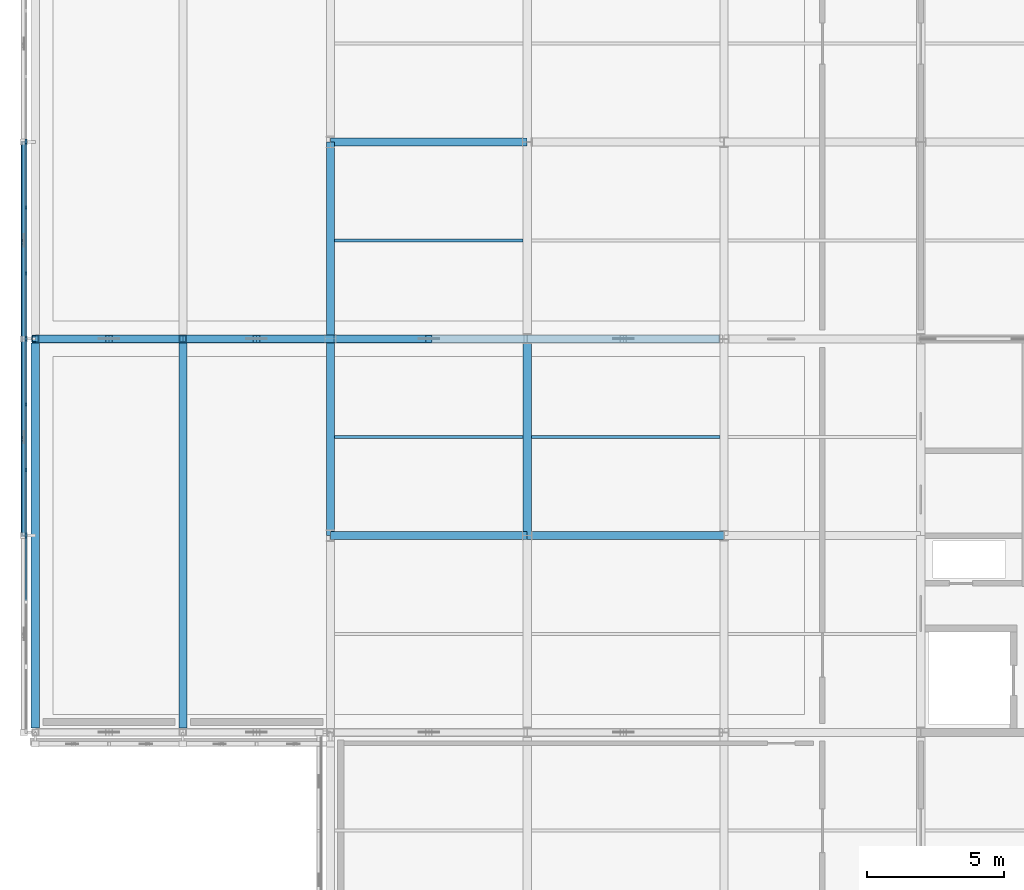
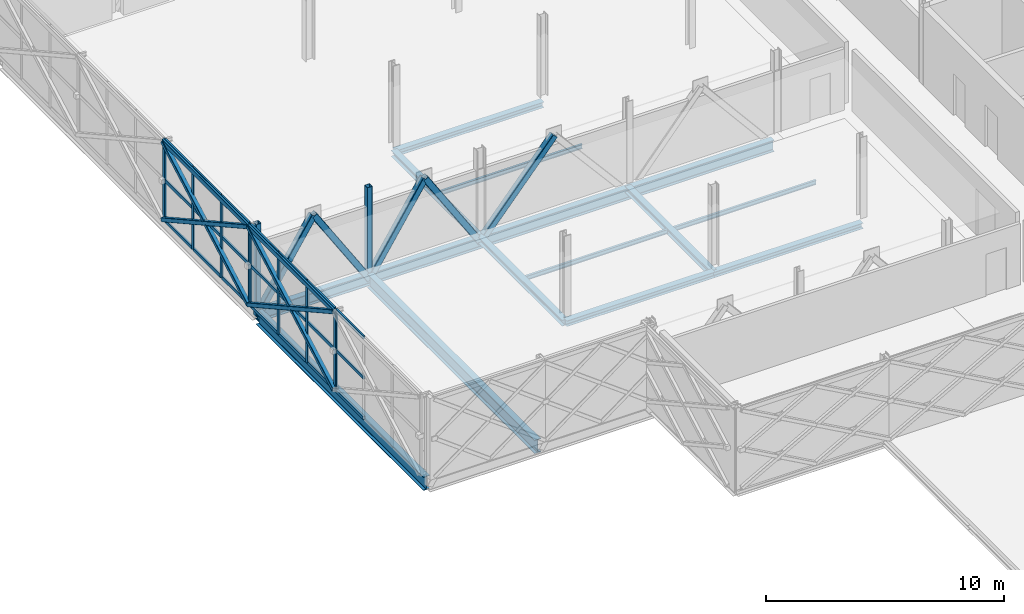
# One storey, part 43 of 103: 46 members, 12 beams, 4 elements without a shape of their own.
"""IFC4 building model written with IfcOpenShell, lengths in metres."""

from ifc_helpers import new_model, si_unit, direction, frame, origin, origin_2d, place, context, subcontext, project, spatial, rectangle, hollow_rectangle, i_section, extrude, material, material_profile, profile_set, type_object, element, aggregate, save


model = new_model("IFC4")

# Units and contexts
model_context = context("Model", 3, precision=1e-05, world=origin(), true_north=direction((0.0, 1.0)))
body_context = subcontext(model_context, "Body", "Model", "MODEL_VIEW")
ifc_project = project(units=[si_unit("LENGTHUNIT", "METRE"), si_unit("AREAUNIT", "SQUARE_METRE"), si_unit("VOLUMEUNIT", "CUBIC_METRE"), si_unit("PLANEANGLEUNIT", "RADIAN"), si_unit("MASSUNIT", "GRAM", prefix="KILO")], contexts=[model_context])

# Site, building, storey
site_placement = place(None, origin())
site = spatial("IfcSite", under=ifc_project, at=site_placement, CompositionType="ELEMENT")
building_placement = place(site_placement, origin())
building = spatial("IfcBuilding", under=site, at=building_placement, Name="Zlatovets Crest Museum", CompositionType="ELEMENT")
storey_placement = place(building_placement, frame((0.0, 0.0, 12.89990234375)))
storey = spatial("IfcBuildingStorey", under=building, at=storey_placement, Name="L03", CompositionType="ELEMENT", Elevation=12.89990234375)

# Beams
ifc_material_1 = material(Name="Structural steel S355J2", Category="steel")
ifc_material_profile_1 = material_profile(ifc_material_1, i_section(OverallWidth=0.300048828125, OverallDepth=0.31005859375, WebThickness=0.009033203125, FlangeThickness=0.015380859375, FilletRadius=0.027099609375, at=origin_2d()), Name="HEA 320")
ifc_profile_set_1 = profile_set([ifc_material_profile_1], Name="Structural steel S355J2")
beam_type_1 = type_object("IfcBeamType", Name="Beam_B-04", PredefinedType="BEAM", material=ifc_profile_set_1)
for number, where, z_axis, x_axis, name in (
    (1, (7.199951171875, 64.800048828125, -0.39501953125), (0.0, 1.0, 0.0), (-1.0, 0.0, 0.0), "V4 L03 Grid Beam B-04"),
    (2, (7.199951171875, 72.0, -0.39501953125), (0.0, 1.0, 0.0), (-1.0, 0.0, 0.0), "V4 L03 Grid Beam B-04"),
    (3, (14.39990234375, 64.800048828125, -0.39501953125), (0.0, 1.0, 0.0), (-1.0, 0.0, 0.0), "V4 L03 Grid Beam B-04"),
):
    element("IfcBeam", number, at=place(storey_placement, frame(where, z_axis=z_axis, x_axis=x_axis)), inside=storey, type_object=beam_type_1, Name=name, PredefinedType="BEAM", context=body_context, shape_type="SweptSolid", body=[
        extrude(i_section(OverallWidth=0.300048828125, OverallDepth=0.31005859375, WebThickness=0.009033203125, FlangeThickness=0.015380859375, FilletRadius=0.027099609375, at=origin_2d()), origin(), (0.0, 0.0, 1.0), 7.199951171875),
    ])
ifc_material_profile_2 = material_profile(ifc_material_1, i_section(OverallWidth=0.300048828125, OverallDepth=0.590087890625, WebThickness=0.012939453125, FlangeThickness=0.02490234375, FilletRadius=0.027099609375, at=origin_2d()), Name="HEA 600")
ifc_profile_set_2 = profile_set([ifc_material_profile_2], Name="Structural steel S355J2")
beam_type_2 = type_object("IfcBeamType", Name="Beam_B-07", PredefinedType="BEAM", material=ifc_profile_set_2)
beam_1_placement = place(storey_placement, frame((-3.60009765625, 72.0, -0.58984375), z_axis=(1.0, 0.0, 0.0), x_axis=(0.0, 1.0, 0.0)))
element("IfcBeam", 4, at=beam_1_placement, inside=storey, type_object=beam_type_2, Name="Cantilever Transfer Truss TT-2 L03 Mid Chord", PredefinedType="BEAM", context=body_context, shape_type="SweptSolid", body=[
    extrude(i_section(OverallWidth=0.300048828125, OverallDepth=0.590087890625, WebThickness=0.012939453125, FlangeThickness=0.02490234375, FilletRadius=0.027099609375, at=origin_2d()), origin(), (0.0, 0.0, 1.0), 25.0400390625),
])
ifc_material_profile_3 = material_profile(ifc_material_1, i_section(OverallWidth=0.300048828125, OverallDepth=0.699951171875, WebThickness=0.01708984375, FlangeThickness=0.031982421875, FilletRadius=0.027099609375, at=origin_2d()), Name="HEB 700")
ifc_profile_set_3 = profile_set([ifc_material_profile_3], Name="Structural steel S355J2")
beam_type_3 = type_object("IfcBeamType", Name="Beam_B-08", PredefinedType="BEAM", material=ifc_profile_set_3)
for number, where, z_axis, x_axis, name in (
    (5, (-3.60009765625, 57.760009765625, -0.58984375), (0.0, 1.0, 0.0), (-1.0, 0.0, 0.0), "Cantilever Gallery L03 Floor Beam B-08"),
    (6, (1.800048828125, 57.760009765625, -0.58984375), (0.0, 1.0, 0.0), (-1.0, 0.0, 0.0), "Cantilever Gallery L03 Floor Beam B-08"),
):
    element("IfcBeam", number, at=place(storey_placement, frame(where, z_axis=z_axis, x_axis=x_axis)), inside=storey, type_object=beam_type_3, Name=name, PredefinedType="BEAM", context=body_context, shape_type="SweptSolid", body=[
        extrude(i_section(OverallWidth=0.300048828125, OverallDepth=0.699951171875, WebThickness=0.01708984375, FlangeThickness=0.031982421875, FilletRadius=0.027099609375, at=origin_2d()), origin(), (0.0, 0.0, 1.0), 14.080078125),
    ])
ifc_material_profile_4 = material_profile(ifc_material_1, i_section(OverallWidth=0.300048828125, OverallDepth=0.2900390625, WebThickness=0.008544921875, FlangeThickness=0.013916015625, FilletRadius=0.027099609375, at=origin_2d()), Name="HEA 300")
ifc_profile_set_4 = profile_set([ifc_material_profile_4], Name="Structural steel S355J2")
beam_type_4 = type_object("IfcBeamType", Name="Beam_B-12", PredefinedType="BEAM", material=ifc_profile_set_4)
beam_2_placement = place(storey_placement, frame((7.199951171875, 64.800048828125, -0.385009765625), z_axis=(1.0, 0.0, 0.0), x_axis=(0.0, 1.0, 0.0)))
element("IfcBeam", 7, at=beam_2_placement, inside=storey, type_object=beam_type_4, Name="V4 L03 Primary Girder B-12", PredefinedType="BEAM", context=body_context, shape_type="SweptSolid", body=[
    extrude(i_section(OverallWidth=0.300048828125, OverallDepth=0.2900390625, WebThickness=0.008544921875, FlangeThickness=0.013916015625, FilletRadius=0.027099609375, at=origin_2d()), origin(), (0.0, 0.0, 1.0), 7.199951171875),
])
beam_3_placement = place(storey_placement, frame((14.39990234375, 64.800048828125, -0.385009765625), z_axis=(1.0, 0.0, 0.0), x_axis=(0.0, 1.0, 0.0)))
element("IfcBeam", 8, at=beam_3_placement, inside=storey, type_object=beam_type_4, Name="V4 L03 Primary Girder B-12", PredefinedType="BEAM", context=body_context, shape_type="SweptSolid", body=[
    extrude(i_section(OverallWidth=0.300048828125, OverallDepth=0.2900390625, WebThickness=0.008544921875, FlangeThickness=0.013916015625, FilletRadius=0.027099609375, at=origin_2d()), origin(), (0.0, 0.0, 1.0), 7.2001953125),
])
beam_4_placement = place(storey_placement, frame((7.199951171875, 79.199951171875, -0.385009765625), z_axis=(1.0, 0.0, 0.0), x_axis=(0.0, 1.0, 0.0)))
element("IfcBeam", 9, at=beam_4_placement, inside=storey, type_object=beam_type_4, Name="V4 L03 Primary Girder B-12", PredefinedType="BEAM", context=body_context, shape_type="SweptSolid", body=[
    extrude(i_section(OverallWidth=0.300048828125, OverallDepth=0.2900390625, WebThickness=0.008544921875, FlangeThickness=0.013916015625, FilletRadius=0.027099609375, at=origin_2d()), origin(), (0.0, 0.0, 1.0), 7.199951171875),
])
ifc_material_profile_5 = material_profile(ifc_material_1, i_section(OverallWidth=0.110107421875, OverallDepth=0.219970703125, WebThickness=0.005859375, FlangeThickness=0.00927734375, FilletRadius=0.011962890625, at=origin_2d()), Name="IPE 220")
ifc_profile_set_5 = profile_set([ifc_material_profile_5], Name="Structural steel S355J2")
beam_type_5 = type_object("IfcBeamType", Name="Beam_J-10", PredefinedType="JOIST", material=ifc_profile_set_5)
for number, where, z_axis, x_axis, name in (
    (10, (7.35009765625, 68.39990234375, -0.349853515625), (1.0, 0.0, 0.0), (0.0, 1.0, 0.0), "V4 L03 Composite Joist J-10"),
    (11, (7.35009765625, 75.60009765625, -0.349853515625), (1.0, 0.0, 0.0), (0.0, 1.0, 0.0), "V4 L03 Composite Joist J-10"),
    (12, (14.550048828125, 68.39990234375, -0.349853515625), (1.0, 0.0, 0.0), (0.0, 1.0, 0.0), "V4 L03 Composite Joist J-10"),
):
    element("IfcBeam", number, at=place(storey_placement, frame(where, z_axis=z_axis, x_axis=x_axis)), inside=storey, type_object=beam_type_5, Name=name, PredefinedType="JOIST", context=body_context, shape_type="SweptSolid", body=[
        extrude(i_section(OverallWidth=0.110107421875, OverallDepth=0.219970703125, WebThickness=0.005859375, FlangeThickness=0.00927734375, FilletRadius=0.011962890625, at=origin_2d()), origin(), (0.0, 0.0, 1.0), 6.89990234375),
    ])

# Curtain wall, member
ifc_material_2 = material(Name="Bronze-anodised aluminium and low-E triple glass", Category="aluminium")
curtain_wall_type_1 = type_object("IfcCurtainWallType", Name="CW_CW-V4-L03-M3", PredefinedType="NOTDEFINED", material=ifc_material_2)
curtain_wall_1_placement = place(storey_placement, origin())
curtain_wall_1 = element("IfcCurtainWall", 13, at=curtain_wall_1_placement, inside=storey, type_object=curtain_wall_type_1, Name="V4 L03 Secession Foyer Clear Curtain Wall", PredefinedType="NOTDEFINED")
ifc_material_3 = material(Name="Bronze-anodised aluminium EN AW-6060", Category="aluminium")
ifc_material_profile_6 = material_profile(ifc_material_3, rectangle(XDim=0.080078125, YDim=0.159912109375, at=origin_2d()), Name="ALU 80x160")
ifc_profile_set_6 = profile_set([ifc_material_profile_6], Name="Bronze-anodised aluminium EN AW-6060")
member_type_1 = type_object("IfcMemberType", Name="CWMull_M1", PredefinedType="MULLION", material=ifc_profile_set_6)
member_1_placement = place(storey_placement, frame((-3.93994140625, 79.22998046875, 0.0), z_axis=(0.0, 0.0, 1.0), x_axis=(1.0, 0.0, 0.0)))
member_1 = element("IfcMember", 14, at=member_1_placement, type_object=member_type_1, Name="CW-V4-L03-M3 mullion 4", PredefinedType="MULLION", context=body_context, shape_type="SweptSolid", body=[
    extrude(rectangle(XDim=0.080078125, YDim=0.159912109375, at=origin_2d()), origin(), (0.0, 0.0, 1.0), 4.2001953125),
])
aggregate(curtain_wall_1, [member_1])

# Curtain wall, members
curtain_wall_type_2 = type_object("IfcCurtainWallType", Name="CW_CW-V4-L03-M0", PredefinedType="NOTDEFINED", material=ifc_material_2)
curtain_wall_2_placement = place(storey_placement, origin())
curtain_wall_2 = element("IfcCurtainWall", 15, at=curtain_wall_2_placement, inside=storey, type_object=curtain_wall_type_2, Name="V4 L03 Secession Foyer Clear Curtain Wall", PredefinedType="NOTDEFINED")
member_2_placement = place(storey_placement, frame((-3.93994140625, 79.169921875, 0.0), z_axis=(0.0, 0.0, 1.0), x_axis=(1.0, 0.0, 0.0)))
member_2 = element("IfcMember", 16, at=member_2_placement, type_object=member_type_1, Name="CW-V4-L03-M0 mullion 1", PredefinedType="MULLION", context=body_context, shape_type="SweptSolid", body=[
    extrude(rectangle(XDim=0.080078125, YDim=0.159912109375, at=origin_2d()), origin(), (0.0, 0.0, 1.0), 4.2001953125),
])
member_3_placement = place(storey_placement, frame((-3.93994140625, 76.800048828125, 0.0), z_axis=(0.0, 0.0, 1.0), x_axis=(1.0, 0.0, 0.0)))
member_3 = element("IfcMember", 17, at=member_3_placement, type_object=member_type_1, Name="CW-V4-L03-M0 mullion 2", PredefinedType="MULLION", context=body_context, shape_type="SweptSolid", body=[
    extrude(rectangle(XDim=0.080078125, YDim=0.159912109375, at=origin_2d()), origin(), (0.0, 0.0, 1.0), 4.2001953125),
])
member_4_placement = place(storey_placement, frame((-3.93994140625, 74.39990234375, 0.0), z_axis=(0.0, 0.0, 1.0), x_axis=(1.0, 0.0, 0.0)))
member_4 = element("IfcMember", 18, at=member_4_placement, type_object=member_type_1, Name="CW-V4-L03-M0 mullion 3", PredefinedType="MULLION", context=body_context, shape_type="SweptSolid", body=[
    extrude(rectangle(XDim=0.080078125, YDim=0.159912109375, at=origin_2d()), origin(), (0.0, 0.0, 1.0), 4.2001953125),
])
member_5_placement = place(storey_placement, frame((-3.93994140625, 72.030029296875, 0.0), z_axis=(0.0, 0.0, 1.0), x_axis=(1.0, 0.0, 0.0)))
member_5 = element("IfcMember", 19, at=member_5_placement, type_object=member_type_1, Name="CW-V4-L03-M0 mullion 4", PredefinedType="MULLION", context=body_context, shape_type="SweptSolid", body=[
    extrude(rectangle(XDim=0.080078125, YDim=0.159912109375, at=origin_2d()), origin(), (0.0, 0.0, 1.0), 4.2001953125),
])

curtain_wall_type_3 = type_object("IfcCurtainWallType", Name="CW_CW-V4-L03-M1", PredefinedType="NOTDEFINED", material=ifc_material_2)
curtain_wall_3_placement = place(storey_placement, origin())
curtain_wall_3 = element("IfcCurtainWall", 20, at=curtain_wall_3_placement, inside=storey, type_object=curtain_wall_type_3, Name="V4 L03 Secession Foyer Clear Curtain Wall", PredefinedType="NOTDEFINED")
member_6_placement = place(storey_placement, frame((-3.93994140625, 71.969970703125, 0.0), z_axis=(0.0, 0.0, 1.0), x_axis=(1.0, 0.0, 0.0)))
member_6 = element("IfcMember", 21, at=member_6_placement, type_object=member_type_1, Name="CW-V4-L03-M1 mullion 1", PredefinedType="MULLION", context=body_context, shape_type="SweptSolid", body=[
    extrude(rectangle(XDim=0.080078125, YDim=0.159912109375, at=origin_2d()), origin(), (0.0, 0.0, 1.0), 4.2001953125),
])
member_7_placement = place(storey_placement, frame((-3.93994140625, 69.60009765625, 0.0), z_axis=(0.0, 0.0, 1.0), x_axis=(1.0, 0.0, 0.0)))
member_7 = element("IfcMember", 22, at=member_7_placement, type_object=member_type_1, Name="CW-V4-L03-M1 mullion 2", PredefinedType="MULLION", context=body_context, shape_type="SweptSolid", body=[
    extrude(rectangle(XDim=0.080078125, YDim=0.159912109375, at=origin_2d()), origin(), (0.0, 0.0, 1.0), 4.2001953125),
])
member_8_placement = place(storey_placement, frame((-3.93994140625, 67.199951171875, 0.0), z_axis=(0.0, 0.0, 1.0), x_axis=(1.0, 0.0, 0.0)))
member_8 = element("IfcMember", 23, at=member_8_placement, type_object=member_type_1, Name="CW-V4-L03-M1 mullion 3", PredefinedType="MULLION", context=body_context, shape_type="SweptSolid", body=[
    extrude(rectangle(XDim=0.080078125, YDim=0.159912109375, at=origin_2d()), origin(), (0.0, 0.0, 1.0), 4.2001953125),
])
member_9_placement = place(storey_placement, frame((-3.93994140625, 64.830078125, 0.0), z_axis=(0.0, 0.0, 1.0), x_axis=(1.0, 0.0, 0.0)))
member_9 = element("IfcMember", 24, at=member_9_placement, type_object=member_type_1, Name="CW-V4-L03-M1 mullion 4", PredefinedType="MULLION", context=body_context, shape_type="SweptSolid", body=[
    extrude(rectangle(XDim=0.080078125, YDim=0.159912109375, at=origin_2d()), origin(), (0.0, 0.0, 1.0), 4.2001953125),
])

# Curtain wall, member
curtain_wall_type_4 = type_object("IfcCurtainWallType", Name="CW_CW-V4-L03-M2", PredefinedType="NOTDEFINED", material=ifc_material_2)
curtain_wall_4_placement = place(storey_placement, origin())
curtain_wall_4 = element("IfcCurtainWall", 25, at=curtain_wall_4_placement, inside=storey, type_object=curtain_wall_type_4, Name="V4 L03 Secession Foyer Clear Curtain Wall", PredefinedType="NOTDEFINED")
member_10_placement = place(storey_placement, frame((-3.93994140625, 64.77001953125, 0.0), z_axis=(0.0, 0.0, 1.0), x_axis=(1.0, 0.0, 0.0)))
member_10 = element("IfcMember", 26, at=member_10_placement, type_object=member_type_1, Name="CW-V4-L03-M2 mullion 1", PredefinedType="MULLION", context=body_context, shape_type="SweptSolid", body=[
    extrude(rectangle(XDim=0.080078125, YDim=0.159912109375, at=origin_2d()), origin(), (0.0, 0.0, 1.0), 4.2001953125),
])

# Member
ifc_material_profile_7 = material_profile(ifc_material_3, rectangle(XDim=0.080078125, YDim=0.159912109375, at=origin_2d()), Name="ALU 80x160")
ifc_profile_set_7 = profile_set([ifc_material_profile_7], Name="Bronze-anodised aluminium EN AW-6060")
member_type_2 = type_object("IfcMemberType", Name="CWTrans_T1", PredefinedType="USERDEFINED", material=ifc_profile_set_7)
member_11_placement = place(storey_placement, frame((-3.93994140625, 79.139892578125, 0.030029296875), z_axis=(0.0, -1.0, 0.0), x_axis=(1.0, 0.0, 0.0)))
member_11 = element("IfcMember", 27, at=member_11_placement, type_object=member_type_2, Name="CW-V4-L03-M0 transom 1.1", ObjectType="TRANSOM", PredefinedType="USERDEFINED", context=body_context, shape_type="SweptSolid", body=[
    extrude(rectangle(XDim=0.080078125, YDim=0.159912109375, at=origin_2d()), origin(), (0.0, 0.0, 1.0), 2.309814453125),
])

member_12_placement = place(storey_placement, frame((-3.93994140625, 79.139892578125, 2.10009765625), z_axis=(0.0, -1.0, 0.0), x_axis=(1.0, 0.0, 0.0)))
member_12 = element("IfcMember", 28, at=member_12_placement, type_object=member_type_2, Name="CW-V4-L03-M0 transom 1.2", ObjectType="TRANSOM", PredefinedType="USERDEFINED", context=body_context, shape_type="SweptSolid", body=[
    extrude(rectangle(XDim=0.080078125, YDim=0.159912109375, at=origin_2d()), origin(), (0.0, 0.0, 1.0), 2.309814453125),
])

member_13_placement = place(storey_placement, frame((-3.93994140625, 79.139892578125, 4.170166015625), z_axis=(0.0, -1.0, 0.0), x_axis=(1.0, 0.0, 0.0)))
member_13 = element("IfcMember", 29, at=member_13_placement, type_object=member_type_2, Name="CW-V4-L03-M0 transom 1.3", ObjectType="TRANSOM", PredefinedType="USERDEFINED", context=body_context, shape_type="SweptSolid", body=[
    extrude(rectangle(XDim=0.080078125, YDim=0.159912109375, at=origin_2d()), origin(), (0.0, 0.0, 1.0), 2.309814453125),
])

member_14_placement = place(storey_placement, frame((-3.93994140625, 76.77001953125, 0.030029296875), z_axis=(0.0, -1.0, 0.0), x_axis=(1.0, 0.0, 0.0)))
member_14 = element("IfcMember", 30, at=member_14_placement, type_object=member_type_2, Name="CW-V4-L03-M0 transom 2.1", ObjectType="TRANSOM", PredefinedType="USERDEFINED", context=body_context, shape_type="SweptSolid", body=[
    extrude(rectangle(XDim=0.080078125, YDim=0.159912109375, at=origin_2d()), origin(), (0.0, 0.0, 1.0), 2.340087890625),
])

member_15_placement = place(storey_placement, frame((-3.93994140625, 76.77001953125, 2.10009765625), z_axis=(0.0, -1.0, 0.0), x_axis=(1.0, 0.0, 0.0)))
member_15 = element("IfcMember", 31, at=member_15_placement, type_object=member_type_2, Name="CW-V4-L03-M0 transom 2.2", ObjectType="TRANSOM", PredefinedType="USERDEFINED", context=body_context, shape_type="SweptSolid", body=[
    extrude(rectangle(XDim=0.080078125, YDim=0.159912109375, at=origin_2d()), origin(), (0.0, 0.0, 1.0), 2.340087890625),
])

member_16_placement = place(storey_placement, frame((-3.93994140625, 76.77001953125, 4.170166015625), z_axis=(0.0, -1.0, 0.0), x_axis=(1.0, 0.0, 0.0)))
member_16 = element("IfcMember", 32, at=member_16_placement, type_object=member_type_2, Name="CW-V4-L03-M0 transom 2.3", ObjectType="TRANSOM", PredefinedType="USERDEFINED", context=body_context, shape_type="SweptSolid", body=[
    extrude(rectangle(XDim=0.080078125, YDim=0.159912109375, at=origin_2d()), origin(), (0.0, 0.0, 1.0), 2.340087890625),
])

member_17_placement = place(storey_placement, frame((-3.93994140625, 74.3701171875, 0.030029296875), z_axis=(0.0, -1.0, 0.0), x_axis=(1.0, 0.0, 0.0)))
member_17 = element("IfcMember", 33, at=member_17_placement, type_object=member_type_2, Name="CW-V4-L03-M0 transom 3.1", ObjectType="TRANSOM", PredefinedType="USERDEFINED", context=body_context, shape_type="SweptSolid", body=[
    extrude(rectangle(XDim=0.080078125, YDim=0.159912109375, at=origin_2d()), origin(), (0.0, 0.0, 1.0), 2.31005859375),
])

member_18_placement = place(storey_placement, frame((-3.93994140625, 74.3701171875, 2.10009765625), z_axis=(0.0, -1.0, 0.0), x_axis=(1.0, 0.0, 0.0)))
member_18 = element("IfcMember", 34, at=member_18_placement, type_object=member_type_2, Name="CW-V4-L03-M0 transom 3.2", ObjectType="TRANSOM", PredefinedType="USERDEFINED", context=body_context, shape_type="SweptSolid", body=[
    extrude(rectangle(XDim=0.080078125, YDim=0.159912109375, at=origin_2d()), origin(), (0.0, 0.0, 1.0), 2.31005859375),
])

member_19_placement = place(storey_placement, frame((-3.93994140625, 74.3701171875, 4.170166015625), z_axis=(0.0, -1.0, 0.0), x_axis=(1.0, 0.0, 0.0)))
member_19 = element("IfcMember", 35, at=member_19_placement, type_object=member_type_2, Name="CW-V4-L03-M0 transom 3.3", ObjectType="TRANSOM", PredefinedType="USERDEFINED", context=body_context, shape_type="SweptSolid", body=[
    extrude(rectangle(XDim=0.080078125, YDim=0.159912109375, at=origin_2d()), origin(), (0.0, 0.0, 1.0), 2.31005859375),
])

aggregate(curtain_wall_2, [member_2, member_3, member_4, member_5, member_11, member_12, member_13, member_14, member_15, member_16, member_17, member_18, member_19])

member_20_placement = place(storey_placement, frame((-3.93994140625, 71.93994140625, 0.030029296875), z_axis=(0.0, -1.0, 0.0), x_axis=(1.0, 0.0, 0.0)))
member_20 = element("IfcMember", 36, at=member_20_placement, type_object=member_type_2, Name="CW-V4-L03-M1 transom 1.1", ObjectType="TRANSOM", PredefinedType="USERDEFINED", context=body_context, shape_type="SweptSolid", body=[
    extrude(rectangle(XDim=0.080078125, YDim=0.159912109375, at=origin_2d()), origin(), (0.0, 0.0, 1.0), 2.31005859375),
])

member_21_placement = place(storey_placement, frame((-3.93994140625, 71.93994140625, 2.10009765625), z_axis=(0.0, -1.0, 0.0), x_axis=(1.0, 0.0, 0.0)))
member_21 = element("IfcMember", 37, at=member_21_placement, type_object=member_type_2, Name="CW-V4-L03-M1 transom 1.2", ObjectType="TRANSOM", PredefinedType="USERDEFINED", context=body_context, shape_type="SweptSolid", body=[
    extrude(rectangle(XDim=0.080078125, YDim=0.159912109375, at=origin_2d()), origin(), (0.0, 0.0, 1.0), 2.31005859375),
])

member_22_placement = place(storey_placement, frame((-3.93994140625, 71.93994140625, 4.170166015625), z_axis=(0.0, -1.0, 0.0), x_axis=(1.0, 0.0, 0.0)))
member_22 = element("IfcMember", 38, at=member_22_placement, type_object=member_type_2, Name="CW-V4-L03-M1 transom 1.3", ObjectType="TRANSOM", PredefinedType="USERDEFINED", context=body_context, shape_type="SweptSolid", body=[
    extrude(rectangle(XDim=0.080078125, YDim=0.159912109375, at=origin_2d()), origin(), (0.0, 0.0, 1.0), 2.31005859375),
])

member_23_placement = place(storey_placement, frame((-3.93994140625, 69.570068359375, 0.030029296875), z_axis=(0.0, -1.0, 0.0), x_axis=(1.0, 0.0, 0.0)))
member_23 = element("IfcMember", 39, at=member_23_placement, type_object=member_type_2, Name="CW-V4-L03-M1 transom 2.1", ObjectType="TRANSOM", PredefinedType="USERDEFINED", context=body_context, shape_type="SweptSolid", body=[
    extrude(rectangle(XDim=0.080078125, YDim=0.159912109375, at=origin_2d()), origin(), (0.0, 0.0, 1.0), 2.340087890625),
])

member_24_placement = place(storey_placement, frame((-3.93994140625, 69.570068359375, 2.10009765625), z_axis=(0.0, -1.0, 0.0), x_axis=(1.0, 0.0, 0.0)))
member_24 = element("IfcMember", 40, at=member_24_placement, type_object=member_type_2, Name="CW-V4-L03-M1 transom 2.2", ObjectType="TRANSOM", PredefinedType="USERDEFINED", context=body_context, shape_type="SweptSolid", body=[
    extrude(rectangle(XDim=0.080078125, YDim=0.159912109375, at=origin_2d()), origin(), (0.0, 0.0, 1.0), 2.340087890625),
])

member_25_placement = place(storey_placement, frame((-3.93994140625, 69.570068359375, 4.170166015625), z_axis=(0.0, -1.0, 0.0), x_axis=(1.0, 0.0, 0.0)))
member_25 = element("IfcMember", 41, at=member_25_placement, type_object=member_type_2, Name="CW-V4-L03-M1 transom 2.3", ObjectType="TRANSOM", PredefinedType="USERDEFINED", context=body_context, shape_type="SweptSolid", body=[
    extrude(rectangle(XDim=0.080078125, YDim=0.159912109375, at=origin_2d()), origin(), (0.0, 0.0, 1.0), 2.340087890625),
])

member_26_placement = place(storey_placement, frame((-3.93994140625, 67.169921875, 0.030029296875), z_axis=(0.0, -1.0, 0.0), x_axis=(1.0, 0.0, 0.0)))
member_26 = element("IfcMember", 42, at=member_26_placement, type_object=member_type_2, Name="CW-V4-L03-M1 transom 3.1", ObjectType="TRANSOM", PredefinedType="USERDEFINED", context=body_context, shape_type="SweptSolid", body=[
    extrude(rectangle(XDim=0.080078125, YDim=0.159912109375, at=origin_2d()), origin(), (0.0, 0.0, 1.0), 2.309814453125),
])

member_27_placement = place(storey_placement, frame((-3.93994140625, 67.169921875, 2.10009765625), z_axis=(0.0, -1.0, 0.0), x_axis=(1.0, 0.0, 0.0)))
member_27 = element("IfcMember", 43, at=member_27_placement, type_object=member_type_2, Name="CW-V4-L03-M1 transom 3.2", ObjectType="TRANSOM", PredefinedType="USERDEFINED", context=body_context, shape_type="SweptSolid", body=[
    extrude(rectangle(XDim=0.080078125, YDim=0.159912109375, at=origin_2d()), origin(), (0.0, 0.0, 1.0), 2.309814453125),
])

member_28_placement = place(storey_placement, frame((-3.93994140625, 67.169921875, 4.170166015625), z_axis=(0.0, -1.0, 0.0), x_axis=(1.0, 0.0, 0.0)))
member_28 = element("IfcMember", 44, at=member_28_placement, type_object=member_type_2, Name="CW-V4-L03-M1 transom 3.3", ObjectType="TRANSOM", PredefinedType="USERDEFINED", context=body_context, shape_type="SweptSolid", body=[
    extrude(rectangle(XDim=0.080078125, YDim=0.159912109375, at=origin_2d()), origin(), (0.0, 0.0, 1.0), 2.309814453125),
])

aggregate(curtain_wall_3, [member_6, member_7, member_8, member_9, member_20, member_21, member_22, member_23, member_24, member_25, member_26, member_27, member_28])

member_29_placement = place(storey_placement, frame((-3.93994140625, 64.739990234375, 0.030029296875), z_axis=(0.0, -1.0, 0.0), x_axis=(1.0, 0.0, 0.0)))
member_29 = element("IfcMember", 45, at=member_29_placement, type_object=member_type_2, Name="CW-V4-L03-M2 transom 1.1", ObjectType="TRANSOM", PredefinedType="USERDEFINED", context=body_context, shape_type="SweptSolid", body=[
    extrude(rectangle(XDim=0.080078125, YDim=0.159912109375, at=origin_2d()), origin(), (0.0, 0.0, 1.0), 2.31005859375),
])

member_30_placement = place(storey_placement, frame((-3.93994140625, 64.739990234375, 2.10009765625), z_axis=(0.0, -1.0, 0.0), x_axis=(1.0, 0.0, 0.0)))
member_30 = element("IfcMember", 46, at=member_30_placement, type_object=member_type_2, Name="CW-V4-L03-M2 transom 1.2", ObjectType="TRANSOM", PredefinedType="USERDEFINED", context=body_context, shape_type="SweptSolid", body=[
    extrude(rectangle(XDim=0.080078125, YDim=0.159912109375, at=origin_2d()), origin(), (0.0, 0.0, 1.0), 2.31005859375),
])

member_31_placement = place(storey_placement, frame((-3.93994140625, 64.739990234375, 4.170166015625), z_axis=(0.0, -1.0, 0.0), x_axis=(1.0, 0.0, 0.0)))
member_31 = element("IfcMember", 47, at=member_31_placement, type_object=member_type_2, Name="CW-V4-L03-M2 transom 1.3", ObjectType="TRANSOM", PredefinedType="USERDEFINED", context=body_context, shape_type="SweptSolid", body=[
    extrude(rectangle(XDim=0.080078125, YDim=0.159912109375, at=origin_2d()), origin(), (0.0, 0.0, 1.0), 2.31005859375),
])

aggregate(curtain_wall_4, [member_10, member_29, member_30, member_31])

# Members
ifc_material_4 = material(Name="Weathering bronze-steel S355J2W", Category="steel")
ifc_material_profile_8 = material_profile(ifc_material_4, hollow_rectangle(XDim=0.199951171875, YDim=0.199951171875, WallThickness=0.012451171875, InnerFilletRadius=0.012451171875, OuterFilletRadius=0.02490234375, at=origin_2d()), Name="SHS 200x200x12.5")
ifc_profile_set_8 = profile_set([ifc_material_profile_8], Name="Weathering bronze-steel S355J2W")
member_type_3 = type_object("IfcMemberType", Name="Lattice_XL-02", PredefinedType="BRACE", material=ifc_profile_set_8)
member_32_placement = place(storey_placement, frame((-4.02001953125, 79.199951171875, 0.10009765625), z_axis=(0.0, -0.874155877937, 0.485645447903), x_axis=(1.0, 0.0, 0.0)))
element("IfcMember", 48, at=member_32_placement, inside=storey, type_object=member_type_3, Name="Continuous Bronze Lattice Diagonal", PredefinedType="BRACE", context=body_context, shape_type="SweptSolid", body=[
    extrude(hollow_rectangle(XDim=0.199951171875, YDim=0.199951171875, WallThickness=0.012451171875, InnerFilletRadius=0.012451171875, OuterFilletRadius=0.02490234375, at=origin_2d()), origin(), (0.0, 0.0, 1.0), 8.236572265625),
])
member_33_placement = place(storey_placement, frame((-4.02001953125, 79.199951171875, 4.10009765625), z_axis=(0.0, -0.874151551165, -0.485653235958), x_axis=(1.0, 0.0, 0.0)))
element("IfcMember", 49, at=member_33_placement, inside=storey, type_object=member_type_3, Name="Split Crossing Bronze Lattice Diagonal Upper", PredefinedType="BRACE", context=body_context, shape_type="SweptSolid", body=[
    extrude(hollow_rectangle(XDim=0.199951171875, YDim=0.199951171875, WallThickness=0.012451171875, InnerFilletRadius=0.012451171875, OuterFilletRadius=0.02490234375, at=origin_2d()), origin(), (0.0, 0.0, 1.0), 4.023193359375),
])
member_34_placement = place(storey_placement, frame((-4.02001953125, 75.51708984375, 2.053955078125), z_axis=(0.0, -0.874165862873, -0.485627474703), x_axis=(1.0, 0.0, 0.0)))
element("IfcMember", 50, at=member_34_placement, inside=storey, type_object=member_type_3, Name="Split Crossing Bronze Lattice Diagonal Lower", PredefinedType="BRACE", context=body_context, shape_type="SweptSolid", body=[
    extrude(hollow_rectangle(XDim=0.199951171875, YDim=0.199951171875, WallThickness=0.012451171875, InnerFilletRadius=0.012451171875, OuterFilletRadius=0.02490234375, at=origin_2d()), origin(), (0.0, 0.0, 1.0), 4.0234375),
])
member_35_placement = place(storey_placement, frame((-4.02001953125, 72.0, 0.10009765625), z_axis=(0.0, -0.874155877937, 0.485645447903), x_axis=(1.0, 0.0, 0.0)))
element("IfcMember", 51, at=member_35_placement, inside=storey, type_object=member_type_3, Name="Continuous Bronze Lattice Diagonal", PredefinedType="BRACE", context=body_context, shape_type="SweptSolid", body=[
    extrude(hollow_rectangle(XDim=0.199951171875, YDim=0.199951171875, WallThickness=0.012451171875, InnerFilletRadius=0.012451171875, OuterFilletRadius=0.02490234375, at=origin_2d()), origin(), (0.0, 0.0, 1.0), 8.236572265625),
])
member_36_placement = place(storey_placement, frame((-4.02001953125, 72.0, 4.10009765625), z_axis=(0.0, -0.874165862873, -0.485627474703), x_axis=(1.0, 0.0, 0.0)))
element("IfcMember", 52, at=member_36_placement, inside=storey, type_object=member_type_3, Name="Split Crossing Bronze Lattice Diagonal Upper", PredefinedType="BRACE", context=body_context, shape_type="SweptSolid", body=[
    extrude(hollow_rectangle(XDim=0.199951171875, YDim=0.199951171875, WallThickness=0.012451171875, InnerFilletRadius=0.012451171875, OuterFilletRadius=0.02490234375, at=origin_2d()), origin(), (0.0, 0.0, 1.0), 4.0234375),
])
member_37_placement = place(storey_placement, frame((-4.02001953125, 68.31689453125, 2.053955078125), z_axis=(0.0, -0.874151551165, -0.485653235958), x_axis=(1.0, 0.0, 0.0)))
element("IfcMember", 53, at=member_37_placement, inside=storey, type_object=member_type_3, Name="Split Crossing Bronze Lattice Diagonal Lower", PredefinedType="BRACE", context=body_context, shape_type="SweptSolid", body=[
    extrude(hollow_rectangle(XDim=0.199951171875, YDim=0.199951171875, WallThickness=0.012451171875, InnerFilletRadius=0.012451171875, OuterFilletRadius=0.02490234375, at=origin_2d()), origin(), (0.0, 0.0, 1.0), 4.023193359375),
])
ifc_material_profile_9 = material_profile(ifc_material_4, hollow_rectangle(XDim=0.1201171875, YDim=0.239990234375, WallThickness=0.010009765625, InnerFilletRadius=0.010009765625, OuterFilletRadius=0.02001953125, at=origin_2d()), Name="RHS 120x240x10.0")
ifc_profile_set_9 = profile_set([ifc_material_profile_9], Name="Weathering bronze-steel S355J2W")
member_type_4 = type_object("IfcMemberType", Name="Lattice_XL-04", PredefinedType="CHORD", material=ifc_profile_set_9)
for number, where, z_axis, x_axis, name in (
    (54, (-4.02001953125, 79.199951171875, 4.10009765625), (0.0, -1.0, 0.0), (1.0, 0.0, 0.0), "Art Nouveau Woven Cage Collector Ring Chord"),
    (55, (-4.02001953125, 72.0, 4.10009765625), (0.0, -1.0, 0.0), (1.0, 0.0, 0.0), "Art Nouveau Woven Cage Collector Ring Chord"),
):
    element("IfcMember", number, at=place(storey_placement, frame(where, z_axis=z_axis, x_axis=x_axis)), inside=storey, type_object=member_type_4, Name=name, PredefinedType="CHORD", context=body_context, shape_type="SweptSolid", body=[
        extrude(hollow_rectangle(XDim=0.1201171875, YDim=0.239990234375, WallThickness=0.010009765625, InnerFilletRadius=0.010009765625, OuterFilletRadius=0.02001953125, at=origin_2d()), origin(), (0.0, 0.0, 1.0), 7.199951171875),
    ])
ifc_material_profile_10 = material_profile(ifc_material_1, hollow_rectangle(XDim=0.25, YDim=0.25, WallThickness=0.012451171875, InnerFilletRadius=0.012451171875, OuterFilletRadius=0.02490234375, at=origin_2d()), Name="SHS 250x250x12.5")
ifc_profile_set_10 = profile_set([ifc_material_profile_10], Name="Structural steel S355J2")
member_type_5 = type_object("IfcMemberType", Name="Member_TM-07", PredefinedType="CHORD", material=ifc_profile_set_10)
for number, where, z_axis, x_axis, name in (
    (56, (-3.60009765625, 72.0, -0.58984375), (0.0, 0.0, 1.0), (1.0, 0.0, 0.0), "Transfer Truss TT-2 Upper Vertical Post"),
    (57, (1.800048828125, 72.0, -0.58984375), (0.0, 0.0, 1.0), (1.0, 0.0, 0.0), "Transfer Truss TT-2 Upper Vertical Post"),
):
    element("IfcMember", number, at=place(storey_placement, frame(where, z_axis=z_axis, x_axis=x_axis)), inside=storey, type_object=member_type_5, Name=name, PredefinedType="CHORD", context=body_context, shape_type="SweptSolid", body=[
        extrude(hollow_rectangle(XDim=0.25, YDim=0.25, WallThickness=0.012451171875, InnerFilletRadius=0.012451171875, OuterFilletRadius=0.02490234375, at=origin_2d()), origin(), (0.0, 0.0, 1.0), 4.739990234375),
    ])
ifc_material_profile_11 = material_profile(ifc_material_1, hollow_rectangle(XDim=0.300048828125, YDim=0.300048828125, WallThickness=0.01611328125, InnerFilletRadius=0.01611328125, OuterFilletRadius=0.031982421875, at=origin_2d()), Name="SHS 300x300x16.0")
ifc_profile_set_11 = profile_set([ifc_material_profile_11], Name="Structural steel S355J2")
member_type_6 = type_object("IfcMemberType", Name="Member_TM-08", PredefinedType="BRACE", material=ifc_profile_set_11)
member_38_placement = place(storey_placement, frame((-3.60009765625, 72.0, -0.58984375), z_axis=(0.538970722985, 0.0, 0.842324497902), x_axis=(0.0, 1.0, 0.0)))
element("IfcMember", 58, at=member_38_placement, inside=storey, type_object=member_type_6, Name="Transfer Truss TT-2 Web Diagonal", PredefinedType="BRACE", context=body_context, shape_type="SweptSolid", body=[
    extrude(hollow_rectangle(XDim=0.300048828125, YDim=0.300048828125, WallThickness=0.01611328125, InnerFilletRadius=0.01611328125, OuterFilletRadius=0.031982421875, at=origin_2d()), origin(), (0.0, 0.0, 1.0), 5.010009765625),
])
for number, where, z_axis, x_axis, name in (
    (59, (-0.89990234375, 72.0, 3.630126953125), (0.538936146087, 0.0, -0.842346621315), (0.0, 1.0, 0.0), "Transfer Truss TT-2 Web Diagonal"),
    (60, (1.800048828125, 72.0, -0.58984375), (0.538936146087, 0.0, 0.842346621315), (0.0, 1.0, 0.0), "Transfer Truss TT-2 Web Diagonal"),
    (61, (4.5, 72.0, 3.630126953125), (0.538936146087, 0.0, -0.842346621315), (0.0, 1.0, 0.0), "Transfer Truss TT-2 Web Diagonal"),
):
    element("IfcMember", number, at=place(storey_placement, frame(where, z_axis=z_axis, x_axis=x_axis)), inside=storey, type_object=member_type_6, Name=name, PredefinedType="BRACE", context=body_context, shape_type="SweptSolid", body=[
        extrude(hollow_rectangle(XDim=0.300048828125, YDim=0.300048828125, WallThickness=0.01611328125, InnerFilletRadius=0.01611328125, OuterFilletRadius=0.031982421875, at=origin_2d()), origin(), (0.0, 0.0, 1.0), 5.009765625),
    ])
member_39_placement = place(storey_placement, frame((7.199951171875, 72.0, -0.58984375), z_axis=(0.649020788736, 0.0, 0.760770672271), x_axis=(0.0, 1.0, 0.0)))
element("IfcMember", 62, at=member_39_placement, inside=storey, type_object=member_type_6, Name="Transfer Truss TT-2 Web Diagonal", PredefinedType="BRACE", context=body_context, shape_type="SweptSolid", body=[
    extrude(hollow_rectangle(XDim=0.300048828125, YDim=0.300048828125, WallThickness=0.01611328125, InnerFilletRadius=0.01611328125, OuterFilletRadius=0.031982421875, at=origin_2d()), origin(), (0.0, 0.0, 1.0), 5.546875),
])

save(model, "model.ifc")
